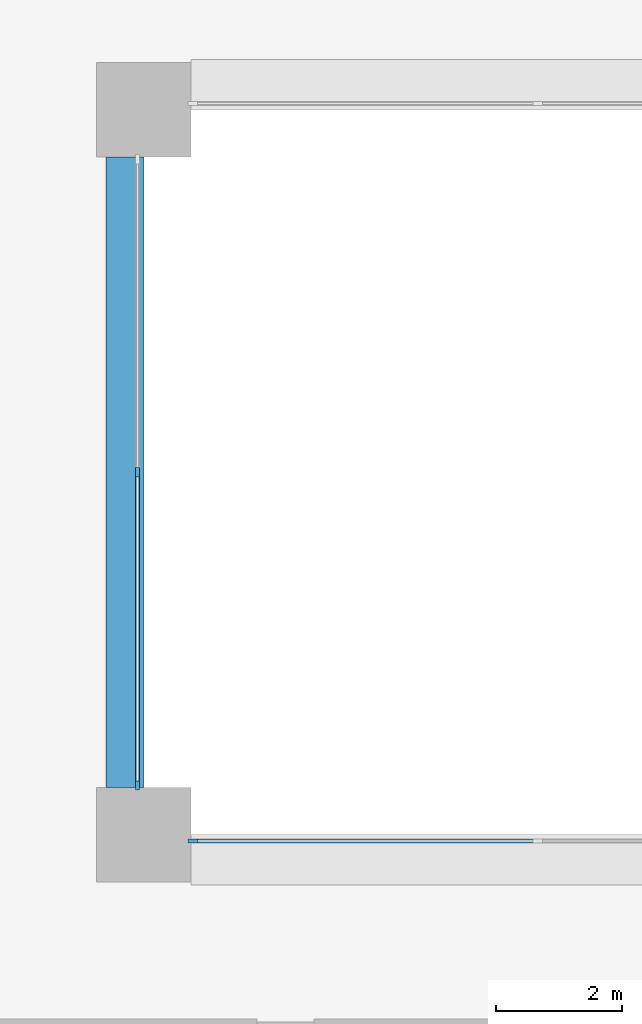
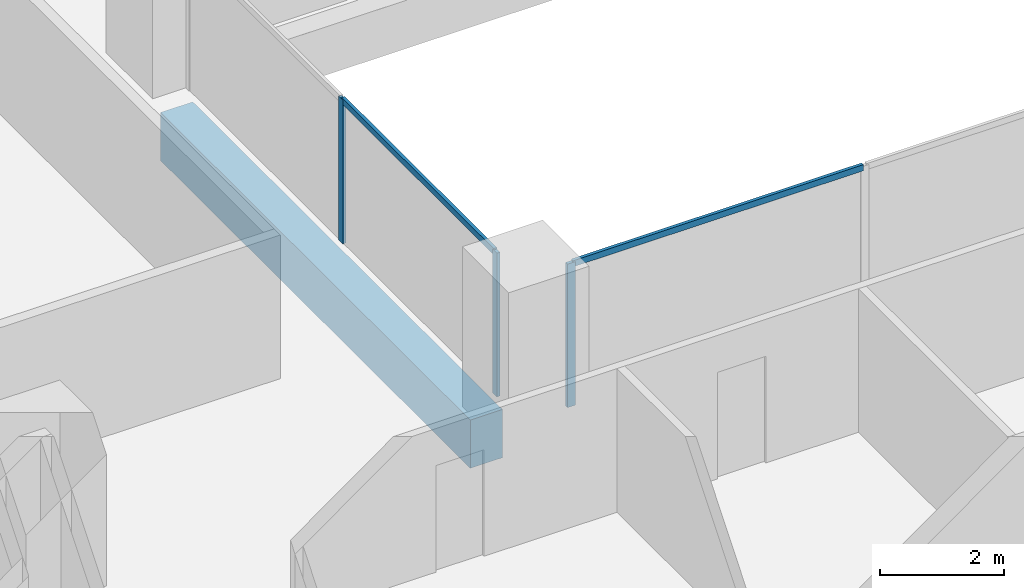
# One storey, part 2 of 20: 5 members, 1 beam, 2 elements without a shape of their own.
"""IFC4 building model written with IfcOpenShell, lengths in metres."""

from ifc_helpers import new_model, si_unit, direction, frame, origin, origin_2d, place, context, subcontext, project, spatial, rectangle, extrude, material, layer, layer_set, material_profile, profile_set, type_object, element, aggregate, save


model = new_model("IFC4")

# Units and contexts
model_context = context("Model", 3, precision=1e-05, world=origin(), true_north=direction((0.0, 1.0)))
body_context = subcontext(model_context, "Body", "Model", "MODEL_VIEW")
ifc_project = project(units=[si_unit("LENGTHUNIT", "METRE"), si_unit("AREAUNIT", "SQUARE_METRE"), si_unit("VOLUMEUNIT", "CUBIC_METRE"), si_unit("PLANEANGLEUNIT", "RADIAN"), si_unit("MASSUNIT", "GRAM", prefix="KILO")], contexts=[model_context])

# Site, building, storey
site_placement = place(None, origin())
site = spatial("IfcSite", under=ifc_project, at=site_placement, CompositionType="ELEMENT")
building_placement = place(site_placement, origin())
building = spatial("IfcBuilding", under=site, at=building_placement, Name="Brigalow Station Residences", CompositionType="ELEMENT")
storey_placement = place(building_placement, frame((0.0, 0.0, 41.550048828125)))
storey = spatial("IfcBuildingStorey", under=building, at=storey_placement, Name="L11", CompositionType="ELEMENT", Elevation=41.550048828125)

# Beam
ifc_material_1 = material(Name="Concrete C65", Category="concrete")
ifc_material_profile_1 = material_profile(ifc_material_1, rectangle(XDim=0.60009765625, YDim=0.949951171875, at=origin_2d()), Name="RC600x950")
ifc_profile_set_1 = profile_set([ifc_material_profile_1], Name="Concrete C65")
beam_type = type_object("IfcBeamType", Name="ATRIUM EDGE GIRDER 600x950 C65", PredefinedType="BEAM", material=ifc_profile_set_1)
beam_placement = place(storey_placement, frame((26.699951171875, 24.75, -0.795166015625), z_axis=(0.0, 1.0, 0.0), x_axis=(-1.0, 0.0, 0.0)))
element("IfcBeam", 1, at=beam_placement, inside=storey, type_object=beam_type, Name="ATRIUM EDGE GIRDER 3 L11", PredefinedType="BEAM", context=body_context, shape_type="SweptSolid", body=[
    extrude(rectangle(XDim=0.60009765625, YDim=0.949951171875, at=origin_2d()), origin(), (0.0, 0.0, 1.0), 10.0),
])

# Curtain wall, member
ifc_material_2 = material(Name="Aluminium", Category="aluminium")
ifc_layer = layer(ifc_material_2, 0.14990234375)
ifc_layer_set = layer_set([ifc_layer], Name="ATRIUM FIRE-RATED GLAZING CURTAIN WALL")
curtain_wall_type = type_object("IfcCurtainWallType", Name="ATRIUM FIRE-RATED GLAZING CURTAIN WALL", PredefinedType="NOTDEFINED", material=ifc_layer_set)
curtain_wall_1_placement = place(storey_placement, origin())
curtain_wall_1 = element("IfcCurtainWall", 2, at=curtain_wall_1_placement, inside=storey, type_object=curtain_wall_type, Name="L11/cw/atrium-S", PredefinedType="NOTDEFINED")
ifc_material_3 = material(Name="Aluminium", Category="aluminium")
ifc_material_profile_2 = material_profile(ifc_material_3, rectangle(XDim=0.06005859375, YDim=0.14990234375, at=origin_2d()), Name="ATRIUM FIRE-RATED GLAZING MULLION 60x150")
ifc_profile_set_2 = profile_set([ifc_material_profile_2], Name="Aluminium")
member_type_1 = type_object("IfcMemberType", Name="ATRIUM FIRE-RATED GLAZING MULLION 60x150", PredefinedType="MULLION", material=ifc_profile_set_2)
member_1_placement = place(storey_placement, frame((27.780029296875, 23.89990234375, 0.0), z_axis=(0.0, 0.0, 1.0), x_axis=(0.0, 1.0, 0.0)))
member_1 = element("IfcMember", 3, at=member_1_placement, type_object=member_type_1, Name="L11/cw/atrium-S/M00", PredefinedType="MULLION", context=body_context, shape_type="SweptSolid", body=[
    extrude(rectangle(XDim=0.06005859375, YDim=0.14990234375, at=origin_2d()), origin(), (0.0, 0.0, 1.0), 2.829833984375),
])

# Curtain wall, members
curtain_wall_2_placement = place(storey_placement, origin())
curtain_wall_2 = element("IfcCurtainWall", 4, at=curtain_wall_2_placement, inside=storey, type_object=curtain_wall_type, Name="L11/cw/atrium-W", PredefinedType="NOTDEFINED")
member_2_placement = place(storey_placement, frame((26.89990234375, 29.75, 0.0), z_axis=(0.0, 0.0, 1.0), x_axis=(1.0, 0.0, 0.0)))
member_2 = element("IfcMember", 5, at=member_2_placement, type_object=member_type_1, Name="L11/cw/atrium-W/M01", PredefinedType="MULLION", context=body_context, shape_type="SweptSolid", body=[
    extrude(rectangle(XDim=0.06005859375, YDim=0.14990234375, at=origin_2d()), origin(), (0.0, 0.0, 1.0), 2.829833984375),
])
member_3_placement = place(storey_placement, frame((26.89990234375, 24.780029296875, 0.0), z_axis=(0.0, 0.0, 1.0), x_axis=(1.0, 0.0, 0.0)))
member_3 = element("IfcMember", 6, at=member_3_placement, type_object=member_type_1, Name="L11/cw/atrium-W/M02", PredefinedType="MULLION", context=body_context, shape_type="SweptSolid", body=[
    extrude(rectangle(XDim=0.06005859375, YDim=0.14990234375, at=origin_2d()), origin(), (0.0, 0.0, 1.0), 2.829833984375),
])

# Member
ifc_material_4 = material(Name="Aluminium", Category="aluminium")
ifc_material_profile_3 = material_profile(ifc_material_4, rectangle(XDim=0.06005859375, YDim=0.1201171875, at=origin_2d()), Name="ATRIUM FIRE-RATED GLAZING TRANSOM 60x120")
ifc_profile_set_3 = profile_set([ifc_material_profile_3], Name="Aluminium")
member_type_2 = type_object("IfcMemberType", Name="ATRIUM FIRE-RATED GLAZING TRANSOM 60x120", PredefinedType="USERDEFINED", material=ifc_profile_set_3)
member_4_placement = place(storey_placement, frame((27.81005859375, 23.89990234375, 2.800048828125), z_axis=(1.0, 0.0, 0.0), x_axis=(0.0, 1.0, 0.0)))
member_4 = element("IfcMember", 7, at=member_4_placement, type_object=member_type_2, Name="L11/cw/atrium-S/T00-00", ObjectType="TRANSOM", PredefinedType="USERDEFINED", context=body_context, shape_type="SweptSolid", body=[
    extrude(rectangle(XDim=0.06005859375, YDim=0.1201171875, at=origin_2d()), origin(), (0.0, 0.0, 1.0), 5.409912109375),
])

aggregate(curtain_wall_1, [member_1, member_4])

member_5_placement = place(storey_placement, frame((26.89990234375, 29.719970703125, 2.800048828125), z_axis=(0.0, -1.0, 0.0), x_axis=(1.0, 0.0, 0.0)))
member_5 = element("IfcMember", 8, at=member_5_placement, type_object=member_type_2, Name="L11/cw/atrium-W/T01-00", ObjectType="TRANSOM", PredefinedType="USERDEFINED", context=body_context, shape_type="SweptSolid", body=[
    extrude(rectangle(XDim=0.06005859375, YDim=0.1201171875, at=origin_2d()), origin(), (0.0, 0.0, 1.0), 4.909912109375),
])

aggregate(curtain_wall_2, [member_2, member_3, member_5])

save(model, "model.ifc")
